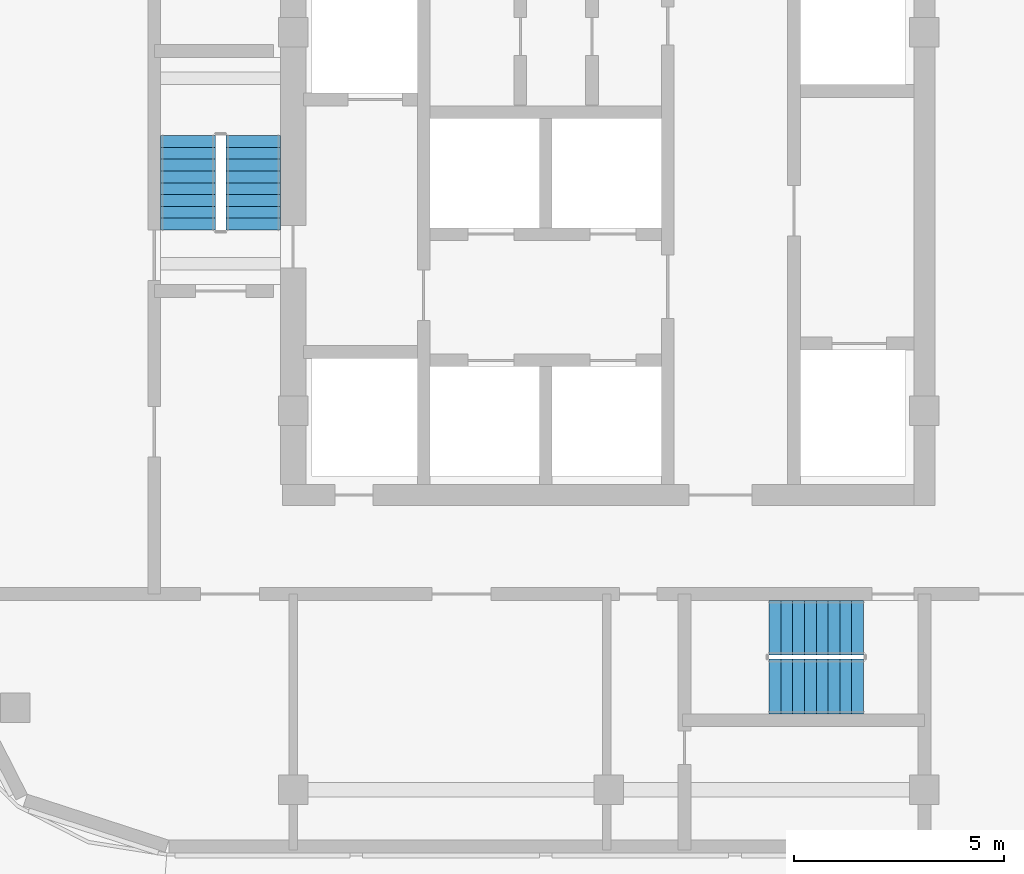
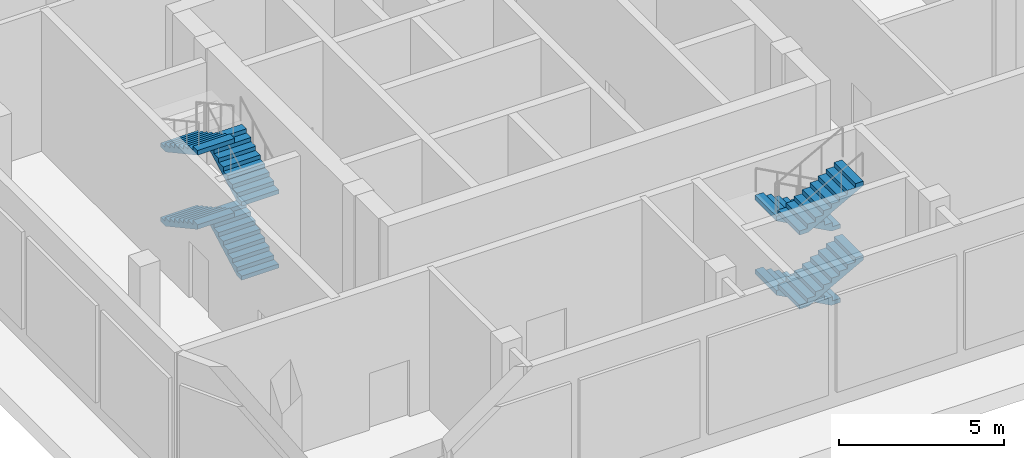
# One storey, part 11 of 23: 8 stair flights, 2 elements without a shape of their own.
"""IFC4 building model written with IfcOpenShell, lengths in metres."""

from ifc_helpers import new_model, si_unit, direction, frame, origin, place, context, subcontext, project, spatial, triangles, source, transform, mapped, material, type_object, element, aggregate, save


model = new_model("IFC4")

# Units and contexts
model_context = context("Model", 3, precision=1e-05, world=origin(), true_north=direction((0.0, 1.0)))
body_context = subcontext(model_context, "Body", "Model", "MODEL_VIEW")
ifc_project = project(units=[si_unit("LENGTHUNIT", "METRE"), si_unit("AREAUNIT", "SQUARE_METRE"), si_unit("VOLUMEUNIT", "CUBIC_METRE"), si_unit("PLANEANGLEUNIT", "RADIAN"), si_unit("MASSUNIT", "GRAM", prefix="KILO")], contexts=[model_context])

# Site, building, storey
site_placement = place(None, origin())
site = spatial("IfcSite", under=ifc_project, at=site_placement, CompositionType="ELEMENT")
building_placement = place(site_placement, origin())
building = spatial("IfcBuilding", under=site, at=building_placement, Name="Ogive Portal Towers", CompositionType="ELEMENT")
storey_placement = place(building_placement, frame((0.0, 0.0, 81.60009765625)))
storey = spatial("IfcBuildingStorey", under=building, at=storey_placement, Name="L19", CompositionType="ELEMENT", Elevation=81.60009765625)

# Stair, stair flights
ifc_material = material(Name="Concrete C40/50", Category="concrete")
stair_type = type_object("IfcStairType", Name="INT-STAIR", PredefinedType="HALF_TURN_STAIR", material=ifc_material)
stair_1_placement = place(storey_placement, origin())
stair_1 = element("IfcStair", 1, at=stair_1_placement, inside=storey, type_object=stair_type, Name="L19 Exit Stair ST-B1", PredefinedType="HALF_TURN_STAIR")
stair_flight_type = type_object("IfcStairFlightType", Name="INT-FLIGHT", PredefinedType="STRAIGHT", material=ifc_material)
shared_shape = source(origin(), body_context, "Body", "Tessellation", [
    triangles([(0.0, -0.650146484375, 0.0), (0.0, -0.376220703125, 0.0), (0.0, -0.192626953125, 0.0), (0.0, -0.081298828125, 0.0), (0.0, -0.024169921875, 0.0), (0.0, -0.003173828125, 0.0), (0.0, 0.0, 0.0), (0.0, 0.0029296875, 0.0), (0.0, 0.02392578125, 0.0), (0.0, 0.0810546875, 0.0), (0.0, 0.1923828125, 0.0), (0.0, 0.3759765625, 0.0), (0.0, 0.64990234375, 0.0), (0.0, -0.650146484375, 0.15283203125), (0.0, -0.376220703125, 0.15283203125), (0.0, -0.192626953125, 0.15283203125), (0.0, -0.081298828125, 0.15283203125), (0.0, -0.024169921875, 0.15283203125), (0.0, -0.003173828125, 0.15283203125), (0.0, 0.0, 0.15283203125), (0.0, 0.0029296875, 0.15283203125), (0.0, 0.02392578125, 0.15283203125), (0.0, 0.0810546875, 0.15283203125), (0.0, 0.1923828125, 0.15283203125), (0.0, 0.3759765625, 0.15283203125), (0.0, 0.64990234375, 0.15283203125), (0.280029296875, -0.650146484375, 0.15283203125), (0.280029296875, -0.376220703125, 0.15283203125), (0.280029296875, -0.192626953125, 0.15283203125), (0.280029296875, -0.081298828125, 0.15283203125), (0.280029296875, -0.024169921875, 0.15283203125), (0.280029296875, -0.003173828125, 0.15283203125), (0.280029296875, 0.0, 0.15283203125), (0.280029296875, 0.0029296875, 0.15283203125), (0.280029296875, 0.02392578125, 0.15283203125), (0.280029296875, 0.0810546875, 0.15283203125), (0.280029296875, 0.1923828125, 0.15283203125), (0.280029296875, 0.3759765625, 0.15283203125), (0.280029296875, 0.64990234375, 0.15283203125), (0.280029296875, -0.650146484375, 0.3056640625), (0.280029296875, -0.376220703125, 0.3056640625), (0.280029296875, -0.192626953125, 0.3056640625), (0.280029296875, -0.081298828125, 0.3056640625), (0.280029296875, -0.024169921875, 0.3056640625), (0.280029296875, -0.003173828125, 0.3056640625), (0.280029296875, 0.0, 0.3056640625), (0.280029296875, 0.0029296875, 0.3056640625), (0.280029296875, 0.02392578125, 0.3056640625), (0.280029296875, 0.0810546875, 0.3056640625), (0.280029296875, 0.1923828125, 0.3056640625), (0.280029296875, 0.3759765625, 0.3056640625), (0.280029296875, 0.64990234375, 0.3056640625), (0.56005859375, -0.650146484375, 0.3056640625), (0.56005859375, -0.376220703125, 0.3056640625), (0.56005859375, -0.192626953125, 0.3056640625), (0.56005859375, -0.081298828125, 0.3056640625), (0.56005859375, -0.024169921875, 0.3056640625), (0.56005859375, -0.003173828125, 0.3056640625), (0.56005859375, 0.0, 0.3056640625), (0.56005859375, 0.0029296875, 0.3056640625), (0.56005859375, 0.02392578125, 0.3056640625), (0.56005859375, 0.0810546875, 0.3056640625), (0.56005859375, 0.1923828125, 0.3056640625), (0.56005859375, 0.3759765625, 0.3056640625), (0.56005859375, 0.64990234375, 0.3056640625), (0.56005859375, -0.650146484375, 0.458251953125), (0.56005859375, -0.376220703125, 0.458251953125), (0.56005859375, -0.192626953125, 0.458251953125), (0.56005859375, -0.081298828125, 0.458251953125), (0.56005859375, -0.024169921875, 0.458251953125), (0.56005859375, -0.003173828125, 0.458251953125), (0.56005859375, 0.0, 0.458251953125), (0.56005859375, 0.0029296875, 0.458251953125), (0.56005859375, 0.02392578125, 0.458251953125), (0.56005859375, 0.0810546875, 0.458251953125), (0.56005859375, 0.1923828125, 0.458251953125), (0.56005859375, 0.3759765625, 0.458251953125), (0.56005859375, 0.64990234375, 0.458251953125), (0.840087890625, -0.650146484375, 0.458251953125), (0.840087890625, -0.376220703125, 0.458251953125), (0.840087890625, -0.192626953125, 0.458251953125), (0.840087890625, -0.081298828125, 0.458251953125), (0.840087890625, -0.024169921875, 0.458251953125), (0.840087890625, -0.003173828125, 0.458251953125), (0.840087890625, 0.0, 0.458251953125), (0.840087890625, 0.0029296875, 0.458251953125), (0.840087890625, 0.02392578125, 0.458251953125), (0.840087890625, 0.0810546875, 0.458251953125), (0.840087890625, 0.1923828125, 0.458251953125), (0.840087890625, 0.3759765625, 0.458251953125), (0.840087890625, 0.64990234375, 0.458251953125), (0.840087890625, -0.650146484375, 0.611083984375), (0.840087890625, -0.376220703125, 0.611083984375), (0.840087890625, -0.192626953125, 0.611083984375), (0.840087890625, -0.081298828125, 0.611083984375), (0.840087890625, -0.024169921875, 0.611083984375), (0.840087890625, -0.003173828125, 0.611083984375), (0.840087890625, 0.0, 0.611083984375), (0.840087890625, 0.0029296875, 0.611083984375), (0.840087890625, 0.02392578125, 0.611083984375), (0.840087890625, 0.0810546875, 0.611083984375), (0.840087890625, 0.1923828125, 0.611083984375), (0.840087890625, 0.3759765625, 0.611083984375), (0.840087890625, 0.64990234375, 0.611083984375), (1.1201171875, -0.650146484375, 0.611083984375), (1.1201171875, -0.376220703125, 0.611083984375), (1.1201171875, -0.192626953125, 0.611083984375), (1.1201171875, -0.081298828125, 0.611083984375), (1.1201171875, -0.024169921875, 0.611083984375), (1.1201171875, -0.003173828125, 0.611083984375), (1.1201171875, 0.0, 0.611083984375), (1.1201171875, 0.0029296875, 0.611083984375), (1.1201171875, 0.02392578125, 0.611083984375), (1.1201171875, 0.0810546875, 0.611083984375), (1.1201171875, 0.1923828125, 0.611083984375), (1.1201171875, 0.3759765625, 0.611083984375), (1.1201171875, 0.64990234375, 0.611083984375), (1.1201171875, -0.650146484375, 0.763916015625), (1.1201171875, -0.376220703125, 0.763916015625), (1.1201171875, -0.192626953125, 0.763916015625), (1.1201171875, -0.081298828125, 0.763916015625), (1.1201171875, -0.024169921875, 0.763916015625), (1.1201171875, -0.003173828125, 0.763916015625), (1.1201171875, 0.0, 0.763916015625), (1.1201171875, 0.0029296875, 0.763916015625), (1.1201171875, 0.02392578125, 0.763916015625), (1.1201171875, 0.0810546875, 0.763916015625), (1.1201171875, 0.1923828125, 0.763916015625), (1.1201171875, 0.3759765625, 0.763916015625), (1.1201171875, 0.64990234375, 0.763916015625), (1.39990234375, -0.650146484375, 0.763916015625), (1.39990234375, -0.376220703125, 0.763916015625), (1.39990234375, -0.192626953125, 0.763916015625), (1.39990234375, -0.081298828125, 0.763916015625), (1.39990234375, -0.024169921875, 0.763916015625), (1.39990234375, -0.003173828125, 0.763916015625), (1.39990234375, 0.0, 0.763916015625), (1.39990234375, 0.0029296875, 0.763916015625), (1.39990234375, 0.02392578125, 0.763916015625), (1.39990234375, 0.0810546875, 0.763916015625), (1.39990234375, 0.1923828125, 0.763916015625), (1.39990234375, 0.3759765625, 0.763916015625), (1.39990234375, 0.64990234375, 0.763916015625), (1.39990234375, -0.650146484375, 0.916748046875), (1.39990234375, -0.376220703125, 0.916748046875), (1.39990234375, -0.192626953125, 0.916748046875), (1.39990234375, -0.081298828125, 0.916748046875), (1.39990234375, -0.024169921875, 0.916748046875), (1.39990234375, -0.003173828125, 0.916748046875), (1.39990234375, 0.0, 0.916748046875), (1.39990234375, 0.0029296875, 0.916748046875), (1.39990234375, 0.02392578125, 0.916748046875), (1.39990234375, 0.0810546875, 0.916748046875), (1.39990234375, 0.1923828125, 0.916748046875), (1.39990234375, 0.3759765625, 0.916748046875), (1.39990234375, 0.64990234375, 0.916748046875), (1.679931640625, -0.650146484375, 0.916748046875), (1.679931640625, -0.376220703125, 0.916748046875), (1.679931640625, -0.192626953125, 0.916748046875), (1.679931640625, -0.081298828125, 0.916748046875), (1.679931640625, -0.024169921875, 0.916748046875), (1.679931640625, -0.003173828125, 0.916748046875), (1.679931640625, 0.0, 0.916748046875), (1.679931640625, 0.0029296875, 0.916748046875), (1.679931640625, 0.02392578125, 0.916748046875), (1.679931640625, 0.0810546875, 0.916748046875), (1.679931640625, 0.1923828125, 0.916748046875), (1.679931640625, 0.3759765625, 0.916748046875), (1.679931640625, 0.64990234375, 0.916748046875), (1.679931640625, -0.650146484375, 1.0693359375), (1.679931640625, -0.376220703125, 1.0693359375), (1.679931640625, -0.192626953125, 1.0693359375), (1.679931640625, -0.081298828125, 1.0693359375), (1.679931640625, -0.024169921875, 1.0693359375), (1.679931640625, -0.003173828125, 1.0693359375), (1.679931640625, 0.0, 1.0693359375), (1.679931640625, 0.0029296875, 1.0693359375), (1.679931640625, 0.02392578125, 1.0693359375), (1.679931640625, 0.0810546875, 1.0693359375), (1.679931640625, 0.1923828125, 1.0693359375), (1.679931640625, 0.3759765625, 1.0693359375), (1.679931640625, 0.64990234375, 1.0693359375), (1.9599609375, -0.650146484375, 1.0693359375), (1.9599609375, -0.376220703125, 1.0693359375), (1.9599609375, -0.192626953125, 1.0693359375), (1.9599609375, -0.081298828125, 1.0693359375), (1.9599609375, -0.024169921875, 1.0693359375), (1.9599609375, -0.003173828125, 1.0693359375), (1.9599609375, 0.0, 1.0693359375), (1.9599609375, 0.0029296875, 1.0693359375), (1.9599609375, 0.02392578125, 1.0693359375), (1.9599609375, 0.0810546875, 1.0693359375), (1.9599609375, 0.1923828125, 1.0693359375), (1.9599609375, 0.3759765625, 1.0693359375), (1.9599609375, 0.64990234375, 1.0693359375), (1.9599609375, -0.650146484375, 1.22216796875), (1.9599609375, -0.376220703125, 1.22216796875), (1.9599609375, -0.192626953125, 1.22216796875), (1.9599609375, -0.081298828125, 1.22216796875), (1.9599609375, -0.024169921875, 1.22216796875), (1.9599609375, -0.003173828125, 1.22216796875), (1.9599609375, 0.0, 1.22216796875), (1.9599609375, 0.0029296875, 1.22216796875), (1.9599609375, 0.02392578125, 1.22216796875), (1.9599609375, 0.0810546875, 1.22216796875), (1.9599609375, 0.1923828125, 1.22216796875), (1.9599609375, 0.3759765625, 1.22216796875), (1.9599609375, 0.64990234375, 1.22216796875), (2.239990234375, -0.650146484375, 1.22216796875), (2.239990234375, -0.376220703125, 1.22216796875), (2.239990234375, -0.192626953125, 1.22216796875), (2.239990234375, -0.081298828125, 1.22216796875), (2.239990234375, -0.024169921875, 1.22216796875), (2.239990234375, -0.003173828125, 1.22216796875), (2.239990234375, 0.0, 1.22216796875), (2.239990234375, 0.0029296875, 1.22216796875), (2.239990234375, 0.02392578125, 1.22216796875), (2.239990234375, 0.0810546875, 1.22216796875), (2.239990234375, 0.1923828125, 1.22216796875), (2.239990234375, 0.3759765625, 1.22216796875), (2.239990234375, 0.64990234375, 1.22216796875), (2.239990234375, -0.650146484375, 1.051513671875), (2.239990234375, -0.376220703125, 1.051513671875), (2.239990234375, -0.192626953125, 1.051513671875), (2.239990234375, -0.081298828125, 1.051513671875), (2.239990234375, -0.024169921875, 1.051513671875), (2.239990234375, -0.003173828125, 1.051513671875), (2.239990234375, 0.0, 1.051513671875), (2.239990234375, 0.0029296875, 1.051513671875), (2.239990234375, 0.02392578125, 1.051513671875), (2.239990234375, 0.0810546875, 1.051513671875), (2.239990234375, 0.1923828125, 1.051513671875), (2.239990234375, 0.3759765625, 1.051513671875), (2.239990234375, 0.64990234375, 1.051513671875), (0.31298828125, -0.650146484375, 0.0), (0.31298828125, -0.376220703125, 0.0), (0.31298828125, -0.192626953125, 0.0), (0.31298828125, -0.081298828125, 0.0), (0.31298828125, -0.024169921875, 0.0), (0.31298828125, -0.003173828125, 0.0), (0.31298828125, 0.0, 0.0), (0.31298828125, 0.0029296875, 0.0), (0.31298828125, 0.02392578125, 0.0), (0.31298828125, 0.0810546875, 0.0), (0.31298828125, 0.1923828125, 0.0), (0.31298828125, 0.3759765625, 0.0), (0.31298828125, 0.64990234375, 0.0)], [[1, 14, 15], [1, 15, 2], [2, 15, 16], [2, 16, 3], [3, 16, 17], [3, 17, 4], [4, 17, 18], [4, 18, 5], [5, 18, 19], [5, 19, 6], [6, 19, 20], [6, 20, 7], [7, 20, 21], [7, 21, 8], [8, 21, 22], [8, 22, 9], [9, 22, 23], [9, 23, 10], [10, 23, 24], [10, 24, 11], [11, 24, 25], [11, 25, 12], [12, 25, 26], [12, 26, 13], [14, 27, 28], [14, 28, 15], [15, 28, 29], [15, 29, 16], [16, 29, 30], [16, 30, 17], [17, 30, 31], [17, 31, 18], [18, 31, 32], [18, 32, 19], [19, 32, 33], [19, 33, 20], [20, 33, 34], [20, 34, 21], [21, 34, 35], [21, 35, 22], [22, 35, 36], [22, 36, 23], [23, 36, 37], [23, 37, 24], [24, 37, 38], [24, 38, 25], [25, 38, 39], [25, 39, 26], [27, 40, 41], [27, 41, 28], [28, 41, 42], [28, 42, 29], [29, 42, 43], [29, 43, 30], [30, 43, 44], [30, 44, 31], [31, 44, 45], [31, 45, 32], [32, 45, 46], [32, 46, 33], [33, 46, 47], [33, 47, 34], [34, 47, 48], [34, 48, 35], [35, 48, 49], [35, 49, 36], [36, 49, 50], [36, 50, 37], [37, 50, 51], [37, 51, 38], [38, 51, 52], [38, 52, 39], [40, 53, 54], [40, 54, 41], [41, 54, 55], [41, 55, 42], [42, 55, 56], [42, 56, 43], [43, 56, 57], [43, 57, 44], [44, 57, 58], [44, 58, 45], [45, 58, 59], [45, 59, 46], [46, 59, 60], [46, 60, 47], [47, 60, 61], [47, 61, 48], [48, 61, 62], [48, 62, 49], [49, 62, 63], [49, 63, 50], [50, 63, 64], [50, 64, 51], [51, 64, 65], [51, 65, 52], [53, 66, 67], [53, 67, 54], [54, 67, 68], [54, 68, 55], [55, 68, 69], [55, 69, 56], [56, 69, 70], [56, 70, 57], [57, 70, 71], [57, 71, 58], [58, 71, 72], [58, 72, 59], [59, 72, 73], [59, 73, 60], [60, 73, 74], [60, 74, 61], [61, 74, 75], [61, 75, 62], [62, 75, 76], [62, 76, 63], [63, 76, 77], [63, 77, 64], [64, 77, 78], [64, 78, 65], [66, 79, 80], [66, 80, 67], [67, 80, 81], [67, 81, 68], [68, 81, 82], [68, 82, 69], [69, 82, 83], [69, 83, 70], [70, 83, 84], [70, 84, 71], [71, 84, 85], [71, 85, 72], [72, 85, 86], [72, 86, 73], [73, 86, 87], [73, 87, 74], [74, 87, 88], [74, 88, 75], [75, 88, 89], [75, 89, 76], [76, 89, 90], [76, 90, 77], [77, 90, 91], [77, 91, 78], [79, 92, 93], [79, 93, 80], [80, 93, 94], [80, 94, 81], [81, 94, 95], [81, 95, 82], [82, 95, 96], [82, 96, 83], [83, 96, 97], [83, 97, 84], [84, 97, 98], [84, 98, 85], [85, 98, 99], [85, 99, 86], [86, 99, 100], [86, 100, 87], [87, 100, 101], [87, 101, 88], [88, 101, 102], [88, 102, 89], [89, 102, 103], [89, 103, 90], [90, 103, 104], [90, 104, 91], [92, 105, 106], [92, 106, 93], [93, 106, 107], [93, 107, 94], [94, 107, 108], [94, 108, 95], [95, 108, 109], [95, 109, 96], [96, 109, 110], [96, 110, 97], [97, 110, 111], [97, 111, 98], [98, 111, 112], [98, 112, 99], [99, 112, 113], [99, 113, 100], [100, 113, 114], [100, 114, 101], [101, 114, 115], [101, 115, 102], [102, 115, 116], [102, 116, 103], [103, 116, 117], [103, 117, 104], [105, 118, 119], [105, 119, 106], [106, 119, 120], [106, 120, 107], [107, 120, 121], [107, 121, 108], [108, 121, 122], [108, 122, 109], [109, 122, 123], [109, 123, 110], [110, 123, 124], [110, 124, 111], [111, 124, 125], [111, 125, 112], [112, 125, 126], [112, 126, 113], [113, 126, 127], [113, 127, 114], [114, 127, 128], [114, 128, 115], [115, 128, 129], [115, 129, 116], [116, 129, 130], [116, 130, 117], [118, 131, 132], [118, 132, 119], [119, 132, 133], [119, 133, 120], [120, 133, 134], [120, 134, 121], [121, 134, 135], [121, 135, 122], [122, 135, 136], [122, 136, 123], [123, 136, 137], [123, 137, 124], [124, 137, 138], [124, 138, 125], [125, 138, 139], [125, 139, 126], [126, 139, 140], [126, 140, 127], [127, 140, 141], [127, 141, 128], [128, 141, 142], [128, 142, 129], [129, 142, 143], [129, 143, 130], [131, 144, 145], [131, 145, 132], [132, 145, 146], [132, 146, 133], [133, 146, 147], [133, 147, 134], [134, 147, 148], [134, 148, 135], [135, 148, 149], [135, 149, 136], [136, 149, 150], [136, 150, 137], [137, 150, 151], [137, 151, 138], [138, 151, 152], [138, 152, 139], [139, 152, 153], [139, 153, 140], [140, 153, 154], [140, 154, 141], [141, 154, 155], [141, 155, 142], [142, 155, 156], [142, 156, 143], [144, 157, 158], [144, 158, 145], [145, 158, 159], [145, 159, 146], [146, 159, 160], [146, 160, 147], [147, 160, 161], [147, 161, 148], [148, 161, 162], [148, 162, 149], [149, 162, 163], [149, 163, 150], [150, 163, 164], [150, 164, 151], [151, 164, 165], [151, 165, 152], [152, 165, 166], [152, 166, 153], [153, 166, 167], [153, 167, 154], [154, 167, 168], [154, 168, 155], [155, 168, 169], [155, 169, 156], [157, 170, 171], [157, 171, 158], [158, 171, 172], [158, 172, 159], [159, 172, 173], [159, 173, 160], [160, 173, 174], [160, 174, 161], [161, 174, 175], [161, 175, 162], [162, 175, 176], [162, 176, 163], [163, 176, 177], [163, 177, 164], [164, 177, 178], [164, 178, 165], [165, 178, 179], [165, 179, 166], [166, 179, 180], [166, 180, 167], [167, 180, 181], [167, 181, 168], [168, 181, 182], [168, 182, 169], [170, 183, 184], [170, 184, 171], [171, 184, 185], [171, 185, 172], [172, 185, 186], [172, 186, 173], [173, 186, 187], [173, 187, 174], [174, 187, 188], [174, 188, 175], [175, 188, 189], [175, 189, 176], [176, 189, 190], [176, 190, 177], [177, 190, 191], [177, 191, 178], [178, 191, 192], [178, 192, 179], [179, 192, 193], [179, 193, 180], [180, 193, 194], [180, 194, 181], [181, 194, 195], [181, 195, 182], [183, 196, 197], [183, 197, 184], [184, 197, 198], [184, 198, 185], [185, 198, 199], [185, 199, 186], [186, 199, 200], [186, 200, 187], [187, 200, 201], [187, 201, 188], [188, 201, 202], [188, 202, 189], [189, 202, 203], [189, 203, 190], [190, 203, 204], [190, 204, 191], [191, 204, 205], [191, 205, 192], [192, 205, 206], [192, 206, 193], [193, 206, 207], [193, 207, 194], [194, 207, 208], [194, 208, 195], [196, 209, 210], [196, 210, 197], [197, 210, 211], [197, 211, 198], [198, 211, 212], [198, 212, 199], [199, 212, 213], [199, 213, 200], [200, 213, 214], [200, 214, 201], [201, 214, 215], [201, 215, 202], [202, 215, 216], [202, 216, 203], [203, 216, 217], [203, 217, 204], [204, 217, 218], [204, 218, 205], [205, 218, 219], [205, 219, 206], [206, 219, 220], [206, 220, 207], [207, 220, 221], [207, 221, 208], [209, 222, 223], [209, 223, 210], [210, 223, 224], [210, 224, 211], [211, 224, 225], [211, 225, 212], [212, 225, 226], [212, 226, 213], [213, 226, 227], [213, 227, 214], [214, 227, 228], [214, 228, 215], [215, 228, 229], [215, 229, 216], [216, 229, 230], [216, 230, 217], [217, 230, 231], [217, 231, 218], [218, 231, 232], [218, 232, 219], [219, 232, 233], [219, 233, 220], [220, 233, 234], [220, 234, 221], [222, 235, 236], [222, 236, 223], [223, 236, 237], [223, 237, 224], [224, 237, 238], [224, 238, 225], [225, 238, 239], [225, 239, 226], [226, 239, 240], [226, 240, 227], [227, 240, 241], [227, 241, 228], [228, 241, 242], [228, 242, 229], [229, 242, 243], [229, 243, 230], [230, 243, 244], [230, 244, 231], [231, 244, 245], [231, 245, 232], [232, 245, 246], [232, 246, 233], [233, 246, 247], [233, 247, 234], [235, 1, 2], [235, 2, 236], [236, 2, 3], [236, 3, 237], [237, 3, 4], [237, 4, 238], [238, 4, 5], [238, 5, 239], [239, 5, 6], [239, 6, 240], [240, 6, 7], [240, 7, 241], [241, 7, 8], [241, 8, 242], [242, 8, 9], [242, 9, 243], [243, 9, 10], [243, 10, 244], [244, 10, 11], [244, 11, 245], [245, 11, 12], [245, 12, 246], [246, 12, 13], [246, 13, 247], [1, 235, 222], [13, 234, 247], [222, 209, 196], [234, 208, 221], [222, 196, 183], [234, 195, 208], [222, 183, 170], [234, 182, 195], [222, 170, 157], [234, 169, 182], [157, 144, 131], [169, 143, 156], [222, 157, 131], [234, 143, 169], [131, 118, 105], [143, 117, 130], [222, 131, 105], [234, 117, 143], [105, 92, 79], [117, 91, 104], [222, 105, 79], [234, 91, 117], [1, 222, 79], [13, 91, 234], [79, 66, 53], [91, 65, 78], [53, 40, 27], [65, 39, 52], [79, 53, 27], [91, 39, 65], [1, 79, 27], [13, 39, 91], [27, 14, 1], [39, 13, 26]], closed=True),
])
stair_flight_1_placement = place(storey_placement, frame((128.050048828125, 30.800048828125, 0.0), z_axis=(0.0, 0.0, 1.0), x_axis=(0.0, 1.0, 0.0)))
stair_flight_1 = element("IfcStairFlight", 2, at=stair_flight_1_placement, type_object=stair_flight_type, Name="ST-B1 flight 1", NumberOfRisers=9, NumberOfTreads=8, PredefinedType="STRAIGHT", RiserHeight=0.152777778, TreadLength=0.28, context=body_context, shape_type="MappedRepresentation", body=[
    mapped(shared_shape, transform((0.0, 0.0, 0.0), scale=1.0)),
])
stair_flight_2_placement = place(storey_placement, frame((126.5, 33.0400390625, 1.375), z_axis=(0.0, 0.0, 1.0), x_axis=(0.0, -1.0, 0.0)))
stair_flight_2 = element("IfcStairFlight", 3, at=stair_flight_2_placement, type_object=stair_flight_type, Name="ST-B1 flight 2", NumberOfRisers=9, NumberOfTreads=8, PredefinedType="STRAIGHT", RiserHeight=0.152777778, TreadLength=0.28, context=body_context, shape_type="MappedRepresentation", body=[
    mapped(shared_shape, transform((0.0, 0.0, 0.0), scale=1.0)),
])
stair_flight_3_placement = place(storey_placement, frame((128.050048828125, 30.800048828125, 2.75), z_axis=(0.0, 0.0, 1.0), x_axis=(0.0, 1.0, 0.0)))
stair_flight_3 = element("IfcStairFlight", 4, at=stair_flight_3_placement, type_object=stair_flight_type, Name="ST-B1 flight 3", NumberOfRisers=9, NumberOfTreads=8, PredefinedType="STRAIGHT", RiserHeight=0.152777778, TreadLength=0.28, context=body_context, shape_type="MappedRepresentation", body=[
    mapped(shared_shape, transform((0.0, 0.0, 0.0), scale=1.0)),
])
stair_flight_4_placement = place(storey_placement, frame((126.5, 33.0400390625, 4.125), z_axis=(0.0, 0.0, 1.0), x_axis=(0.0, -1.0, 0.0)))
stair_flight_4 = element("IfcStairFlight", 5, at=stair_flight_4_placement, type_object=stair_flight_type, Name="ST-B1 flight 4", NumberOfRisers=9, NumberOfTreads=8, PredefinedType="STRAIGHT", RiserHeight=0.152777778, TreadLength=0.28, context=body_context, shape_type="MappedRepresentation", body=[
    mapped(shared_shape, transform((0.0, 0.0, 0.0), scale=1.0)),
])
aggregate(stair_1, [stair_flight_1, stair_flight_2, stair_flight_3, stair_flight_4])

stair_2_placement = place(storey_placement, origin())
stair_2 = element("IfcStair", 6, at=stair_2_placement, inside=storey, type_object=stair_type, Name="L19 Exit Stair ST-B2", PredefinedType="HALF_TURN_STAIR")
stair_flight_5_placement = place(storey_placement, frame((142.550048828125, 21.35009765625, 0.0), z_axis=(0.0, 0.0, 1.0), x_axis=(-1.0, 0.0, 0.0)))
stair_flight_5 = element("IfcStairFlight", 7, at=stair_flight_5_placement, type_object=stair_flight_type, Name="ST-B2 flight 1", NumberOfRisers=9, NumberOfTreads=8, PredefinedType="STRAIGHT", RiserHeight=0.152777778, TreadLength=0.28, context=body_context, shape_type="MappedRepresentation", body=[
    mapped(shared_shape, transform((0.0, 0.0, 0.0), scale=1.0)),
])
stair_flight_6_placement = place(storey_placement, frame((140.31005859375, 19.949951171875, 1.375), z_axis=(0.0, 0.0, 1.0), x_axis=(1.0, 0.0, 0.0)))
stair_flight_6 = element("IfcStairFlight", 8, at=stair_flight_6_placement, type_object=stair_flight_type, Name="ST-B2 flight 2", NumberOfRisers=9, NumberOfTreads=8, PredefinedType="STRAIGHT", RiserHeight=0.152777778, TreadLength=0.28, context=body_context, shape_type="MappedRepresentation", body=[
    mapped(shared_shape, transform((0.0, 0.0, 0.0), scale=1.0)),
])
stair_flight_7_placement = place(storey_placement, frame((142.550048828125, 21.35009765625, 2.75), z_axis=(0.0, 0.0, 1.0), x_axis=(-1.0, 0.0, 0.0)))
stair_flight_7 = element("IfcStairFlight", 9, at=stair_flight_7_placement, type_object=stair_flight_type, Name="ST-B2 flight 3", NumberOfRisers=9, NumberOfTreads=8, PredefinedType="STRAIGHT", RiserHeight=0.152777778, TreadLength=0.28, context=body_context, shape_type="MappedRepresentation", body=[
    mapped(shared_shape, transform((0.0, 0.0, 0.0), scale=1.0)),
])
stair_flight_8_placement = place(storey_placement, frame((140.31005859375, 19.949951171875, 4.125), z_axis=(0.0, 0.0, 1.0), x_axis=(1.0, 0.0, 0.0)))
stair_flight_8 = element("IfcStairFlight", 10, at=stair_flight_8_placement, type_object=stair_flight_type, Name="ST-B2 flight 4", NumberOfRisers=9, NumberOfTreads=8, PredefinedType="STRAIGHT", RiserHeight=0.152777778, TreadLength=0.28, context=body_context, shape_type="MappedRepresentation", body=[
    mapped(shared_shape, transform((0.0, 0.0, 0.0), scale=1.0)),
])
aggregate(stair_2, [stair_flight_5, stair_flight_6, stair_flight_7, stair_flight_8])

save(model, "model.ifc")
